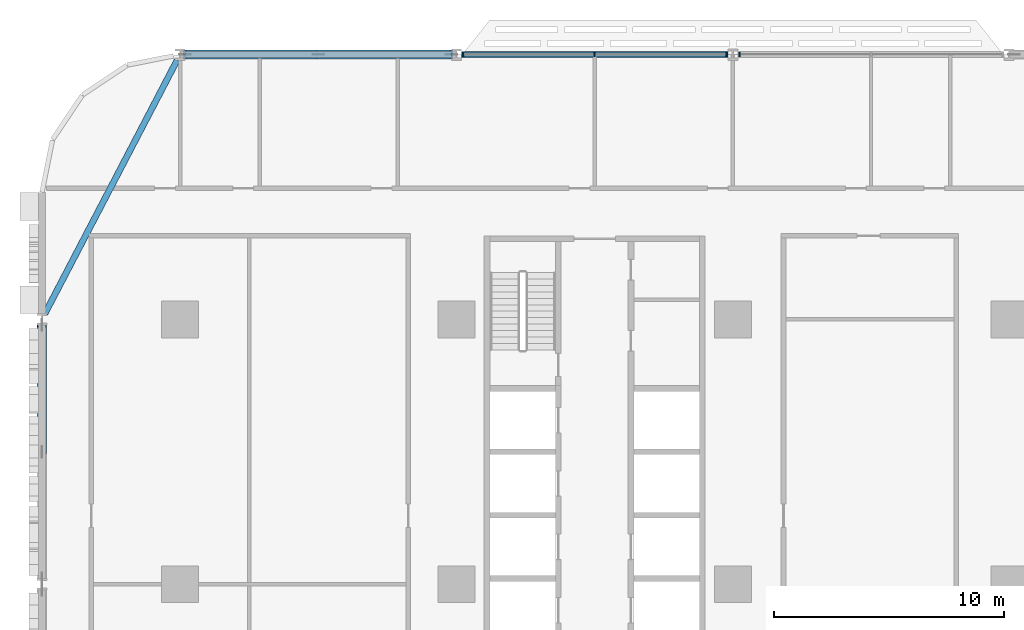
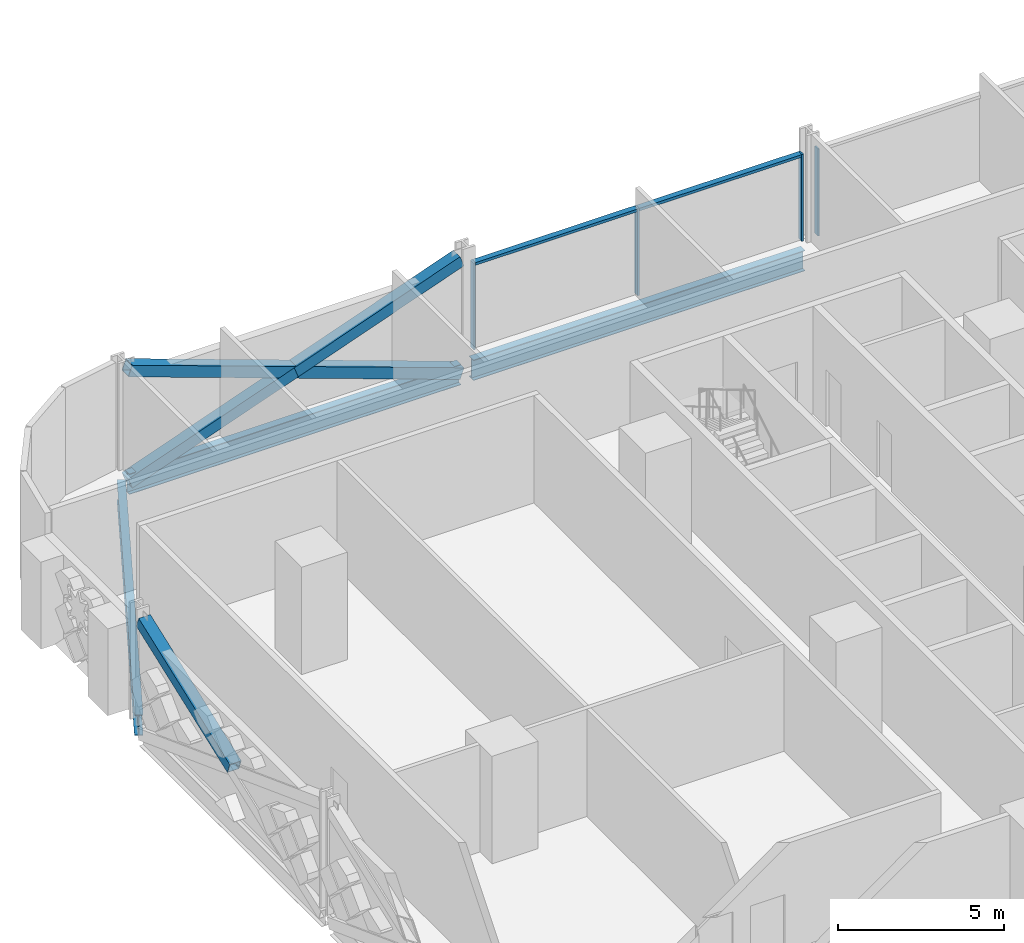
# One storey, part 5 of 28: 10 members, 3 beams, 2 elements without a shape of their own.
"""IFC4 building model written with IfcOpenShell, lengths in metres."""

from ifc_helpers import new_model, si_unit, direction, frame, origin, origin_2d, place, context, subcontext, project, spatial, rectangle, hollow_rectangle, i_section, extrude, material, material_profile, profile_set, type_object, element, aggregate, save


model = new_model("IFC4")

# Units and contexts
model_context = context("Model", 3, precision=1e-05, world=origin(), true_north=direction((0.0, 1.0)))
body_context = subcontext(model_context, "Body", "Model", "MODEL_VIEW")
ifc_project = project(units=[si_unit("LENGTHUNIT", "METRE"), si_unit("AREAUNIT", "SQUARE_METRE"), si_unit("VOLUMEUNIT", "CUBIC_METRE"), si_unit("PLANEANGLEUNIT", "RADIAN"), si_unit("MASSUNIT", "GRAM", prefix="KILO")], contexts=[model_context])

# Site, building, storey
site_placement = place(None, origin())
site = spatial("IfcSite", under=ifc_project, at=site_placement, CompositionType="ELEMENT")
building_placement = place(site_placement, origin())
building = spatial("IfcBuilding", under=site, at=building_placement, Name="Mahtab Terrace Research Tower", CompositionType="ELEMENT")
storey_placement = place(building_placement, frame((0.0, 0.0, 33.0)))
storey = spatial("IfcBuildingStorey", under=building, at=storey_placement, Name="L07", CompositionType="ELEMENT", Elevation=33.0)

# Members
ifc_material_1 = material(Name="Steel ASTM A500 Gr C", Category="steel")
ifc_material_profile_1 = material_profile(ifc_material_1, hollow_rectangle(XDim=0.406494140625, YDim=0.406494140625, WallThickness=0.01904296875, at=origin_2d()), Name="HSS16X16X3/4")
ifc_profile_set_1 = profile_set([ifc_material_profile_1], Name="Steel ASTM A500 Gr C")
member_type_1 = type_object("IfcMemberType", Name="HSS 16x16x3/4 brace XB161634", PredefinedType="BRACE", material=ifc_profile_set_1)
member_1_placement = place(storey_placement, frame((-30.2158203125, 23.0, -0.64111328125), z_axis=(-0.941388097231, 0.0, 0.337325436917), x_axis=(0.0, -1.0, 0.0)))
element("IfcMember", 1, at=member_1_placement, inside=storey, type_object=member_type_1, Name="Exoskeleton brace L07 07 a", PredefinedType="BRACE", context=body_context, shape_type="SweptSolid", body=[
    extrude(hollow_rectangle(XDim=0.406494140625, YDim=0.406494140625, WallThickness=0.01904296875, at=origin_2d()), origin(), (0.0, 0.0, 1.0), 12.28857421875),
])
for number, where, z_axis, x_axis, name in (
    (2, (-41.7841796875, 23.0, -0.64111328125), (0.941381788192, 0.0, 0.337343043295), (0.0, 1.0, 0.0), "Exoskeleton brace L07 07 b1"),
    (3, (-36.0, 23.0, 1.431640625), (0.941394406025, 0.0, 0.337307830185), (0.0, 1.0, 0.0), "Exoskeleton brace L07 07 b2"),
):
    element("IfcMember", number, at=place(storey_placement, frame(where, z_axis=z_axis, x_axis=x_axis)), inside=storey, type_object=member_type_1, Name=name, PredefinedType="BRACE", context=body_context, shape_type="SweptSolid", body=[
        extrude(hollow_rectangle(XDim=0.406494140625, YDim=0.406494140625, WallThickness=0.01904296875, at=origin_2d()), origin(), (0.0, 0.0, 1.0), 6.144287109375),
    ])
member_2_placement = place(storey_placement, frame((-48.0, 5.75, 1.431640625), z_axis=(0.0, 0.936668691391, 0.350216736563), x_axis=(-1.0, 0.0, 0.0)))
element("IfcMember", 4, at=member_2_placement, inside=storey, type_object=member_type_1, Name="Exoskeleton brace L07 09 b2", PredefinedType="BRACE", context=body_context, shape_type="SweptSolid", body=[
    extrude(hollow_rectangle(XDim=0.406494140625, YDim=0.406494140625, WallThickness=0.01904296875, at=origin_2d()), origin(), (0.0, 0.0, 1.0), 5.873291015625),
])

# Curtain wall, member
ifc_material_2 = material(Name="Laboratory ribbon curtain wall")
curtain_wall_type = type_object("IfcCurtainWallType", Name="Laboratory ribbon curtain wall", PredefinedType="NOTDEFINED", material=ifc_material_2)
curtain_wall_1_placement = place(storey_placement, origin())
curtain_wall_1 = element("IfcCurtainWall", 5, at=curtain_wall_1_placement, inside=storey, type_object=curtain_wall_type, Name="EN.L07.3.7", PredefinedType="NOTDEFINED")
ifc_material_3 = material(Name="Natural anodised aluminium", Category="aluminium")
ifc_material_profile_2 = material_profile(ifc_material_3, rectangle(XDim=0.199951171875, YDim=0.06494140625, at=origin_2d()), Name="MULLION 65x200")
ifc_profile_set_2 = profile_set([ifc_material_profile_2], Name="Natural anodised aluminium")
member_type_2 = type_object("IfcMemberType", Name="Laboratory ribbon curtain wall mullion", PredefinedType="MULLION", material=ifc_profile_set_2)
member_3_placement = place(storey_placement, frame((-17.718505859375, 23.0, 0.0), z_axis=(0.0, 0.0, 1.0), x_axis=(0.0, -1.0, 0.0)))
member_3 = element("IfcMember", 6, at=member_3_placement, type_object=member_type_2, Name="CWL-1 mullion 3", PredefinedType="MULLION", context=body_context, shape_type="SweptSolid", body=[
    extrude(rectangle(XDim=0.199951171875, YDim=0.06494140625, at=origin_2d()), origin(), (0.0, 0.0, 1.0), 3.203125),
])
aggregate(curtain_wall_1, [member_3])

# Curtain wall, members
curtain_wall_2_placement = place(storey_placement, origin())
curtain_wall_2 = element("IfcCurtainWall", 7, at=curtain_wall_2_placement, inside=storey, type_object=curtain_wall_type, Name="EN.L07.3.8", PredefinedType="NOTDEFINED")
member_4_placement = place(storey_placement, frame((-18.281494140625, 23.0, 0.0), z_axis=(0.0, 0.0, 1.0), x_axis=(0.0, -1.0, 0.0)))
member_4 = element("IfcMember", 8, at=member_4_placement, type_object=member_type_2, Name="CWL-1 mullion 1", PredefinedType="MULLION", context=body_context, shape_type="SweptSolid", body=[
    extrude(rectangle(XDim=0.199951171875, YDim=0.06494140625, at=origin_2d()), origin(), (0.0, 0.0, 1.0), 3.203125),
])
member_5_placement = place(storey_placement, frame((-24.0, 23.0, 0.0), z_axis=(0.0, 0.0, 1.0), x_axis=(0.0, -1.0, 0.0)))
member_5 = element("IfcMember", 9, at=member_5_placement, type_object=member_type_2, Name="CWL-1 mullion 2", PredefinedType="MULLION", context=body_context, shape_type="SweptSolid", body=[
    extrude(rectangle(XDim=0.199951171875, YDim=0.06494140625, at=origin_2d()), origin(), (0.0, 0.0, 1.0), 3.203125),
])
member_6_placement = place(storey_placement, frame((-29.718505859375, 23.0, 0.0), z_axis=(0.0, 0.0, 1.0), x_axis=(0.0, -1.0, 0.0)))
member_6 = element("IfcMember", 10, at=member_6_placement, type_object=member_type_2, Name="CWL-1 mullion 3", PredefinedType="MULLION", context=body_context, shape_type="SweptSolid", body=[
    extrude(rectangle(XDim=0.199951171875, YDim=0.06494140625, at=origin_2d()), origin(), (0.0, 0.0, 1.0), 3.203125),
])
ifc_material_profile_3 = material_profile(ifc_material_3, rectangle(XDim=0.199951171875, YDim=0.10009765625, at=origin_2d()), Name="TRANSOM 100x200")
ifc_profile_set_3 = profile_set([ifc_material_profile_3], Name="Natural anodised aluminium")
member_type_3 = type_object("IfcMemberType", Name="Laboratory ribbon curtain wall transom", PredefinedType="USERDEFINED", material=ifc_profile_set_3)
member_7_placement = place(storey_placement, frame((-18.31396484375, 23.0, 3.153076171875), z_axis=(-1.0, 0.0, 0.0), x_axis=(0.0, -1.0, 0.0)))
member_7 = element("IfcMember", 11, at=member_7_placement, type_object=member_type_3, Name="CWL-1 transom 1", ObjectType="TRANSOM", PredefinedType="USERDEFINED", context=body_context, shape_type="SweptSolid", body=[
    extrude(rectangle(XDim=0.199951171875, YDim=0.10009765625, at=origin_2d()), origin(), (0.0, 0.0, 1.0), 5.653564453125),
])
member_8_placement = place(storey_placement, frame((-24.032470703125, 23.0, 3.153076171875), z_axis=(-1.0, 0.0, 0.0), x_axis=(0.0, -1.0, 0.0)))
member_8 = element("IfcMember", 12, at=member_8_placement, type_object=member_type_3, Name="CWL-1 transom 2", ObjectType="TRANSOM", PredefinedType="USERDEFINED", context=body_context, shape_type="SweptSolid", body=[
    extrude(rectangle(XDim=0.199951171875, YDim=0.10009765625, at=origin_2d()), origin(), (0.0, 0.0, 1.0), 5.653564453125),
])
aggregate(curtain_wall_2, [member_4, member_5, member_6, member_7, member_8])

# Beams
ifc_material_4 = material(Name="Steel ASTM A992 Gr 50", Category="steel")
ifc_material_profile_4 = material_profile(ifc_material_4, i_section(OverallWidth=0.2666015625, OverallDepth=0.7568359375, WebThickness=0.013916015625, FlangeThickness=0.019287109375, at=origin_2d()), Name="W30X108")
ifc_profile_set_4 = profile_set([ifc_material_profile_4], Name="Steel ASTM A992 Gr 50")
beam_type = type_object("IfcBeamType", Name="W30x108 beam BS30108", PredefinedType="BEAM", material=ifc_profile_set_4)
for number, where, z_axis, x_axis, name in (
    (13, (-18.2158203125, 23.0, -0.718505859375), (-1.0, 0.0, 0.0), (0.0, -1.0, 0.0), "Spandrel beam L07 06"),
    (14, (-30.2158203125, 23.0, -0.718505859375), (-1.0, 0.0, 0.0), (0.0, -1.0, 0.0), "Spandrel beam L07 07"),
):
    element("IfcBeam", number, at=place(storey_placement, frame(where, z_axis=z_axis, x_axis=x_axis)), inside=storey, type_object=beam_type, Name=name, PredefinedType="BEAM", context=body_context, shape_type="SweptSolid", body=[
        extrude(i_section(OverallWidth=0.2666015625, OverallDepth=0.7568359375, WebThickness=0.013916015625, FlangeThickness=0.019287109375, at=origin_2d()), origin(), (0.0, 0.0, 1.0), 11.568359375),
    ])
beam_placement = place(storey_placement, frame((-42.1298828125, 22.751220703125, -0.718505859375), z_axis=(-0.462555249274, -0.88659045865, 0.0), x_axis=(0.88659045865, -0.462555249274, 0.0)))
element("IfcBeam", 15, at=beam_placement, inside=storey, type_object=beam_type, Name="Spandrel beam L07 08", PredefinedType="BEAM", context=body_context, shape_type="SweptSolid", body=[
    extrude(i_section(OverallWidth=0.2666015625, OverallDepth=0.7568359375, WebThickness=0.013916015625, FlangeThickness=0.019287109375, at=origin_2d()), origin(), (0.0, 0.0, 1.0), 12.409912109375),
])

save(model, "model.ifc")
